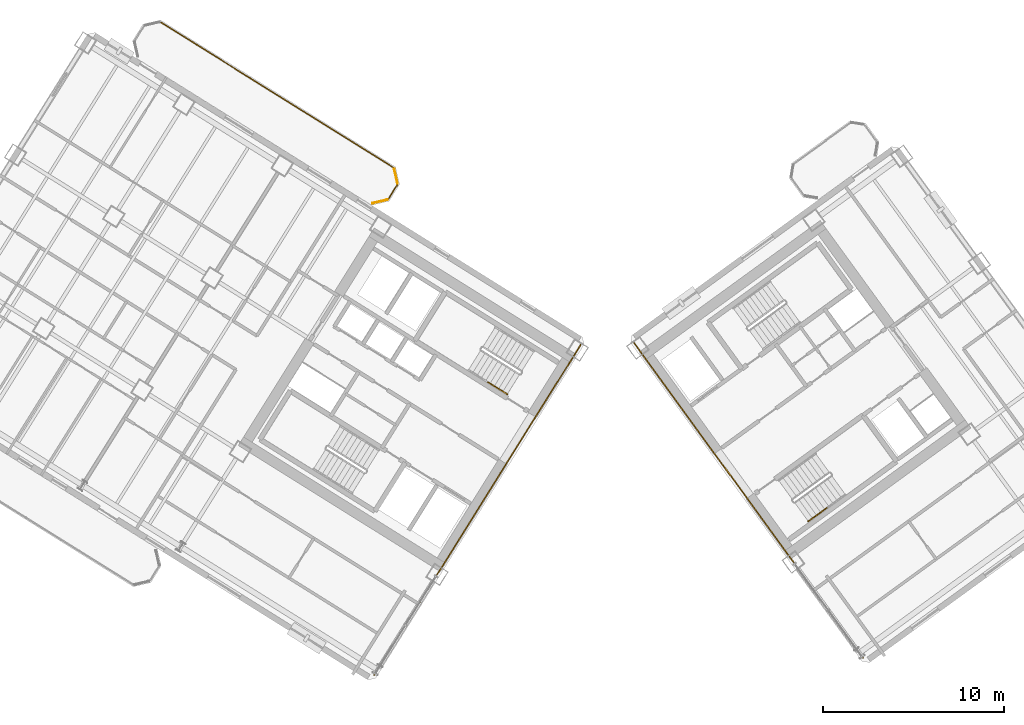
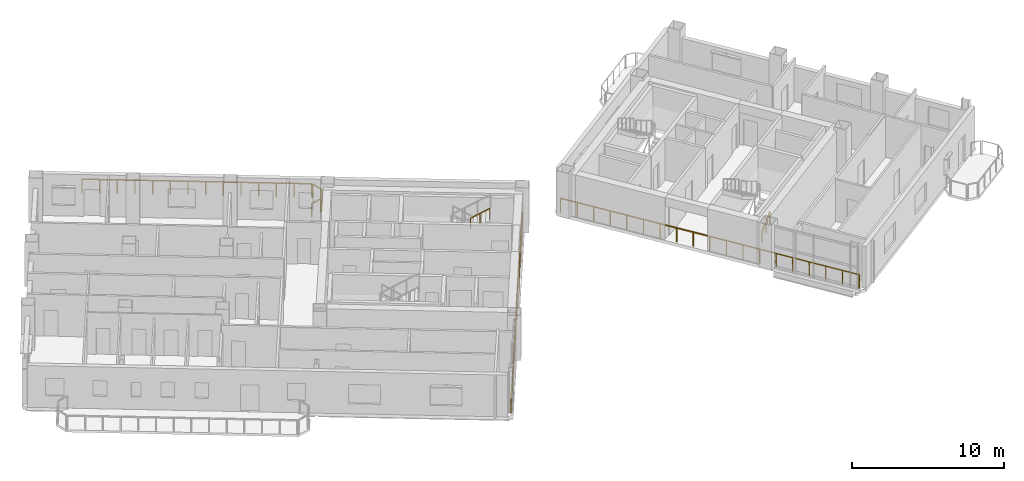
# One storey, part 17 of 19: 8 railings.
"""IFC4 building model written with IfcOpenShell, lengths in metres."""

from ifc_helpers import new_model, si_unit, direction, frame, origin, origin_2d, place, context, subcontext, project, spatial, rectangle, extrude, source, transform, mapped, material, type_object, element, save


model = new_model("IFC4")

# Units and contexts
model_context = context("Model", 3, precision=1e-05, world=origin(), true_north=direction((0.0, 1.0)))
body_context = subcontext(model_context, "Body", "Model", "MODEL_VIEW")
ifc_project = project(units=[si_unit("LENGTHUNIT", "METRE"), si_unit("AREAUNIT", "SQUARE_METRE"), si_unit("VOLUMEUNIT", "CUBIC_METRE"), si_unit("PLANEANGLEUNIT", "RADIAN"), si_unit("MASSUNIT", "GRAM", prefix="KILO")], contexts=[model_context])

# Site, building, storey
site_placement = place(None, origin())
site = spatial("IfcSite", under=ifc_project, at=site_placement, CompositionType="ELEMENT")
building_placement = place(site_placement, origin())
building = spatial("IfcBuilding", under=site, at=building_placement, Name="Tlacorven Tower", CompositionType="ELEMENT")
storey_placement = place(building_placement, frame((0.0, 0.0, 147.89990234375)))
storey = spatial("IfcBuildingStorey", under=building, at=storey_placement, Name="L37", CompositionType="ELEMENT", Elevation=147.89990234375)

# Railings
ifc_material = material(Name="Aluminium and painted steel balustrade", Category="steel")
railing_type_1 = type_object("IfcRailingType", Name="RL-BAL-1100", PredefinedType="BALUSTRADE", material=ifc_material)
shared_shape_1 = source(origin(), body_context, "Body", "SweptSolid", [
    extrude(rectangle(XDim=0.048095703125, YDim=0.048095703125, at=origin_2d()), frame((0.0, 0.0, 1.076171875), z_axis=(0.225058334816, -0.974345290916, 0.0), x_axis=(0.974345290916, 0.225058334816, 0.0)), (0.0, 0.0, 1.0), 0.80712890625),
    extrude(rectangle(XDim=0.0419921875, YDim=0.0419921875, at=origin_2d()), origin(), (0.0, 0.0, 1.0), 1.052001953125),
    extrude(rectangle(XDim=0.0419921875, YDim=0.0419921875, at=origin_2d()), frame((0.181640625, -0.786376953125, 0.0)), (0.0, 0.0, 1.0), 1.052001953125),
])
railing_1_placement = place(storey_placement, frame((30.6796875, 34.466064453125, 0.0)))
element("IfcRailing", 1, at=railing_1_placement, inside=storey, type_object=railing_type_1, Name="BAL-L37-W-IN Guard Railing 1", PredefinedType="BALUSTRADE", context=body_context, shape_type="MappedRepresentation", body=[
    mapped(shared_shape_1, transform((0.0, 0.0, 0.0), scale=1.0)),
])
shared_shape_2 = source(origin(), body_context, "Body", "SweptSolid", [
    extrude(rectangle(XDim=0.048095703125, YDim=0.048095703125, at=origin_2d()), frame((0.0, 0.0, 1.076171875), z_axis=(-0.52987865805, -0.848073468364, 0.0), x_axis=(0.848073468364, -0.52987865805, 0.0)), (0.0, 0.0, 1.0), 0.912353515625),
    extrude(rectangle(XDim=0.0419921875, YDim=0.0419921875, at=origin_2d()), origin(), (0.0, 0.0, 1.0), 1.052001953125),
    extrude(rectangle(XDim=0.0419921875, YDim=0.0419921875, at=origin_2d()), frame((-0.4833984375, -0.773681640625, 0.0)), (0.0, 0.0, 1.0), 1.052001953125),
])
railing_2_placement = place(storey_placement, frame((30.845947265625, 33.588623046875, 0.0)))
element("IfcRailing", 2, at=railing_2_placement, inside=storey, type_object=railing_type_1, Name="BAL-L37-W-IN Guard Railing 2", PredefinedType="BALUSTRADE", context=body_context, shape_type="MappedRepresentation", body=[
    mapped(shared_shape_2, transform((0.0, 0.0, 0.0), scale=1.0)),
])
shared_shape_3 = source(origin(), body_context, "Body", "SweptSolid", [
    extrude(rectangle(XDim=0.048095703125, YDim=0.048095703125, at=origin_2d()), frame((0.0, 0.0, 1.076171875), z_axis=(-0.974345290916, -0.225058334816, 0.0), x_axis=(0.225058334816, -0.974345290916, 0.0)), (0.0, 0.0, 1.0), 0.80712890625),
    extrude(rectangle(XDim=0.0419921875, YDim=0.0419921875, at=origin_2d()), origin(), (0.0, 0.0, 1.0), 1.052001953125),
    extrude(rectangle(XDim=0.0419921875, YDim=0.0419921875, at=origin_2d()), frame((-0.786376953125, -0.181640625, 0.0)), (0.0, 0.0, 1.0), 1.052001953125),
])
railing_3_placement = place(storey_placement, frame((30.287353515625, 32.761474609375, 0.0)))
element("IfcRailing", 3, at=railing_3_placement, inside=storey, type_object=railing_type_1, Name="BAL-L37-W-IN Guard Railing 3", PredefinedType="BALUSTRADE", context=body_context, shape_type="MappedRepresentation", body=[
    mapped(shared_shape_3, transform((0.0, 0.0, 0.0), scale=1.0)),
])
shared_shape_4 = source(origin(), body_context, "Body", "SweptSolid", [
    extrude(rectangle(XDim=0.048095703125, YDim=0.048095703125, at=origin_2d()), frame((0.0, 0.0, 1.076171875), z_axis=(0.848044572804, -0.529924902733, 0.0), x_axis=(0.529924902733, 0.848044572804, 0.0)), (0.0, 0.0, 1.0), 15.1171875),
    extrude(rectangle(XDim=0.0419921875, YDim=0.0419921875, at=origin_2d()), origin(), (0.0, 0.0, 1.0), 1.052001953125),
    extrude(rectangle(XDim=0.0419921875, YDim=0.0419921875, at=origin_2d()), frame((0.986083984375, -0.6162109375, 0.0)), (0.0, 0.0, 1.0), 1.052001953125),
    extrude(rectangle(XDim=0.0419921875, YDim=0.0419921875, at=origin_2d()), frame((1.972412109375, -1.232421875, 0.0)), (0.0, 0.0, 1.0), 1.052001953125),
    extrude(rectangle(XDim=0.0419921875, YDim=0.0419921875, at=origin_2d()), frame((2.95849609375, -1.8486328125, 0.0)), (0.0, 0.0, 1.0), 1.052001953125),
    extrude(rectangle(XDim=0.0419921875, YDim=0.0419921875, at=origin_2d()), frame((3.944580078125, -2.46484375, 0.0)), (0.0, 0.0, 1.0), 1.052001953125),
    extrude(rectangle(XDim=0.0419921875, YDim=0.0419921875, at=origin_2d()), frame((4.930908203125, -3.0810546875, 0.0)), (0.0, 0.0, 1.0), 1.052001953125),
    extrude(rectangle(XDim=0.0419921875, YDim=0.0419921875, at=origin_2d()), frame((5.9169921875, -3.697265625, 0.0)), (0.0, 0.0, 1.0), 1.052001953125),
    extrude(rectangle(XDim=0.0419921875, YDim=0.0419921875, at=origin_2d()), frame((6.903076171875, -4.313720703125, 0.0)), (0.0, 0.0, 1.0), 1.052001953125),
    extrude(rectangle(XDim=0.0419921875, YDim=0.0419921875, at=origin_2d()), frame((7.88916015625, -4.929931640625, 0.0)), (0.0, 0.0, 1.0), 1.052001953125),
    extrude(rectangle(XDim=0.0419921875, YDim=0.0419921875, at=origin_2d()), frame((8.87548828125, -5.546142578125, 0.0)), (0.0, 0.0, 1.0), 1.052001953125),
    extrude(rectangle(XDim=0.0419921875, YDim=0.0419921875, at=origin_2d()), frame((9.861572265625, -6.162353515625, 0.0)), (0.0, 0.0, 1.0), 1.052001953125),
    extrude(rectangle(XDim=0.0419921875, YDim=0.0419921875, at=origin_2d()), frame((10.84765625, -6.778564453125, 0.0)), (0.0, 0.0, 1.0), 1.052001953125),
    extrude(rectangle(XDim=0.0419921875, YDim=0.0419921875, at=origin_2d()), frame((11.833984375, -7.394775390625, 0.0)), (0.0, 0.0, 1.0), 1.052001953125),
    extrude(rectangle(XDim=0.0419921875, YDim=0.0419921875, at=origin_2d()), frame((12.820068359375, -8.010986328125, 0.0)), (0.0, 0.0, 1.0), 1.052001953125),
])
railing_4_placement = place(storey_placement, frame((17.805908203125, 42.55224609375, 0.0)))
element("IfcRailing", 4, at=railing_4_placement, inside=storey, type_object=railing_type_1, Name="BAL-L37-W-IN Guard Railing 7", PredefinedType="BALUSTRADE", context=body_context, shape_type="MappedRepresentation", body=[
    mapped(shared_shape_4, transform((0.0, 0.0, 0.0), scale=1.0)),
])
railing_type_2 = type_object("IfcRailingType", Name="RL-GRD-1150", PredefinedType="GUARDRAIL", material=ifc_material)
shared_shape_5 = source(origin(), body_context, "Body", "SweptSolid", [
    extrude(rectangle(XDim=0.048095703125, YDim=0.048095703125, at=origin_2d()), frame((0.0, 0.0, 1.1259765625), z_axis=(-0.529922340282, -0.84804617402, 0.0), x_axis=(0.84804617402, -0.529922340282, 0.0)), (0.0, 0.0, 1.0), 21.487548828125),
    extrude(rectangle(XDim=0.0419921875, YDim=0.0419921875, at=origin_2d()), origin(), (0.0, 0.0, 1.0), 1.101806640625),
    extrude(rectangle(XDim=0.0419921875, YDim=0.0419921875, at=origin_2d()), frame((-0.632568359375, -1.012451171875, 0.0)), (0.0, 0.0, 1.0), 1.101806640625),
    extrude(rectangle(XDim=0.0419921875, YDim=0.0419921875, at=origin_2d()), frame((-1.26513671875, -2.024658203125, 0.0)), (0.0, 0.0, 1.0), 1.101806640625),
    extrude(rectangle(XDim=0.0419921875, YDim=0.0419921875, at=origin_2d()), frame((-1.897705078125, -3.037109375, 0.0)), (0.0, 0.0, 1.0), 1.101806640625),
    extrude(rectangle(XDim=0.0419921875, YDim=0.0419921875, at=origin_2d()), frame((-2.5302734375, -4.04931640625, 0.0)), (0.0, 0.0, 1.0), 1.101806640625),
    extrude(rectangle(XDim=0.0419921875, YDim=0.0419921875, at=origin_2d()), frame((-3.1630859375, -5.061767578125, 0.0)), (0.0, 0.0, 1.0), 1.101806640625),
    extrude(rectangle(XDim=0.0419921875, YDim=0.0419921875, at=origin_2d()), frame((-3.795654296875, -6.07421875, 0.0)), (0.0, 0.0, 1.0), 1.101806640625),
    extrude(rectangle(XDim=0.0419921875, YDim=0.0419921875, at=origin_2d()), frame((-4.42822265625, -7.08642578125, 0.0)), (0.0, 0.0, 1.0), 1.101806640625),
    extrude(rectangle(XDim=0.0419921875, YDim=0.0419921875, at=origin_2d()), frame((-5.060791015625, -8.098876953125, 0.0)), (0.0, 0.0, 1.0), 1.101806640625),
    extrude(rectangle(XDim=0.0419921875, YDim=0.0419921875, at=origin_2d()), frame((-5.693359375, -9.111328125, 0.0)), (0.0, 0.0, 1.0), 1.101806640625),
    extrude(rectangle(XDim=0.0419921875, YDim=0.0419921875, at=origin_2d()), frame((-6.325927734375, -10.12353515625, 0.0)), (0.0, 0.0, 1.0), 1.101806640625),
    extrude(rectangle(XDim=0.0419921875, YDim=0.0419921875, at=origin_2d()), frame((-6.95849609375, -11.135986328125, 0.0)), (0.0, 0.0, 1.0), 1.101806640625),
    extrude(rectangle(XDim=0.0419921875, YDim=0.0419921875, at=origin_2d()), frame((-7.591064453125, -12.148193359375, 0.0)), (0.0, 0.0, 1.0), 1.101806640625),
    extrude(rectangle(XDim=0.0419921875, YDim=0.0419921875, at=origin_2d()), frame((-8.2236328125, -13.16064453125, 0.0)), (0.0, 0.0, 1.0), 1.101806640625),
    extrude(rectangle(XDim=0.0419921875, YDim=0.0419921875, at=origin_2d()), frame((-8.8564453125, -14.173095703125, 0.0)), (0.0, 0.0, 1.0), 1.101806640625),
    extrude(rectangle(XDim=0.0419921875, YDim=0.0419921875, at=origin_2d()), frame((-9.489013671875, -15.185302734375, 0.0)), (0.0, 0.0, 1.0), 1.101806640625),
    extrude(rectangle(XDim=0.0419921875, YDim=0.0419921875, at=origin_2d()), frame((-10.12158203125, -16.19775390625, 0.0)), (0.0, 0.0, 1.0), 1.101806640625),
    extrude(rectangle(XDim=0.0419921875, YDim=0.0419921875, at=origin_2d()), frame((-10.754150390625, -17.2099609375, 0.0)), (0.0, 0.0, 1.0), 1.101806640625),
    extrude(rectangle(XDim=0.0419921875, YDim=0.0419921875, at=origin_2d()), frame((-11.38671875, -18.222412109375, 0.0)), (0.0, 0.0, 1.0), 1.101806640625),
])
railing_5_placement = place(storey_placement, frame((40.965087890625, 24.760009765625, 0.0)))
element("IfcRailing", 5, at=railing_5_placement, inside=storey, type_object=railing_type_2, Name="L37 Void-Portal Atrium Guard 1", PredefinedType="GUARDRAIL", context=body_context, shape_type="MappedRepresentation", body=[
    mapped(shared_shape_5, transform((0.0, 0.0, 0.0), scale=1.0)),
])
shared_shape_6 = source(origin(), body_context, "Body", "SweptSolid", [
    extrude(rectangle(XDim=0.048095703125, YDim=0.048095703125, at=origin_2d()), frame((0.0, 0.0, 1.1259765625), z_axis=(-0.587792632144, 0.809011632547, 0.0), x_axis=(-0.809011632547, -0.587792632144, 0.0)), (0.0, 0.0, 1.0), 21.4873046875),
    extrude(rectangle(XDim=0.0419921875, YDim=0.0419921875, at=origin_2d()), origin(), (0.0, 0.0, 1.0), 1.101806640625),
    extrude(rectangle(XDim=0.0419921875, YDim=0.0419921875, at=origin_2d()), frame((-0.70166015625, 0.9658203125, 0.0)), (0.0, 0.0, 1.0), 1.101806640625),
    extrude(rectangle(XDim=0.0419921875, YDim=0.0419921875, at=origin_2d()), frame((-1.4033203125, 1.931396484375, 0.0)), (0.0, 0.0, 1.0), 1.101806640625),
    extrude(rectangle(XDim=0.0419921875, YDim=0.0419921875, at=origin_2d()), frame((-2.10498046875, 2.897216796875, 0.0)), (0.0, 0.0, 1.0), 1.101806640625),
    extrude(rectangle(XDim=0.0419921875, YDim=0.0419921875, at=origin_2d()), frame((-2.806640625, 3.863037109375, 0.0)), (0.0, 0.0, 1.0), 1.101806640625),
    extrude(rectangle(XDim=0.0419921875, YDim=0.0419921875, at=origin_2d()), frame((-3.50830078125, 4.828857421875, 0.0)), (0.0, 0.0, 1.0), 1.101806640625),
    extrude(rectangle(XDim=0.0419921875, YDim=0.0419921875, at=origin_2d()), frame((-4.2099609375, 5.79443359375, 0.0)), (0.0, 0.0, 1.0), 1.101806640625),
    extrude(rectangle(XDim=0.0419921875, YDim=0.0419921875, at=origin_2d()), frame((-4.91162109375, 6.76025390625, 0.0)), (0.0, 0.0, 1.0), 1.101806640625),
    extrude(rectangle(XDim=0.0419921875, YDim=0.0419921875, at=origin_2d()), frame((-5.61328125, 7.72607421875, 0.0)), (0.0, 0.0, 1.0), 1.101806640625),
    extrude(rectangle(XDim=0.0419921875, YDim=0.0419921875, at=origin_2d()), frame((-6.31494140625, 8.69189453125, 0.0)), (0.0, 0.0, 1.0), 1.101806640625),
    extrude(rectangle(XDim=0.0419921875, YDim=0.0419921875, at=origin_2d()), frame((-7.016845703125, 9.657470703125, 0.0)), (0.0, 0.0, 1.0), 1.101806640625),
    extrude(rectangle(XDim=0.0419921875, YDim=0.0419921875, at=origin_2d()), frame((-7.718505859375, 10.623291015625, 0.0)), (0.0, 0.0, 1.0), 1.101806640625),
    extrude(rectangle(XDim=0.0419921875, YDim=0.0419921875, at=origin_2d()), frame((-8.420166015625, 11.589111328125, 0.0)), (0.0, 0.0, 1.0), 1.101806640625),
    extrude(rectangle(XDim=0.0419921875, YDim=0.0419921875, at=origin_2d()), frame((-9.121826171875, 12.5546875, 0.0)), (0.0, 0.0, 1.0), 1.101806640625),
    extrude(rectangle(XDim=0.0419921875, YDim=0.0419921875, at=origin_2d()), frame((-9.823486328125, 13.5205078125, 0.0)), (0.0, 0.0, 1.0), 1.101806640625),
    extrude(rectangle(XDim=0.0419921875, YDim=0.0419921875, at=origin_2d()), frame((-10.525146484375, 14.486328125, 0.0)), (0.0, 0.0, 1.0), 1.101806640625),
    extrude(rectangle(XDim=0.0419921875, YDim=0.0419921875, at=origin_2d()), frame((-11.226806640625, 15.4521484375, 0.0)), (0.0, 0.0, 1.0), 1.101806640625),
    extrude(rectangle(XDim=0.0419921875, YDim=0.0419921875, at=origin_2d()), frame((-11.928466796875, 16.417724609375, 0.0)), (0.0, 0.0, 1.0), 1.101806640625),
    extrude(rectangle(XDim=0.0419921875, YDim=0.0419921875, at=origin_2d()), frame((-12.630126953125, 17.383544921875, 0.0)), (0.0, 0.0, 1.0), 1.101806640625),
])
railing_6_placement = place(storey_placement, frame((56.5517578125, 7.4794921875, 0.0)))
element("IfcRailing", 6, at=railing_6_placement, inside=storey, type_object=railing_type_2, Name="L37 Void-Portal Atrium Guard 1", PredefinedType="GUARDRAIL", context=body_context, shape_type="MappedRepresentation", body=[
    mapped(shared_shape_6, transform((0.0, 0.0, 0.0), scale=1.0)),
])
railing_type_3 = type_object("IfcRailingType", Name="RL-HND-0900", PredefinedType="HANDRAIL", material=ifc_material)
shared_shape_7 = source(origin(), body_context, "Body", "SweptSolid", [
    extrude(rectangle(XDim=0.048095703125, YDim=0.048095703125, at=origin_2d()), frame((0.0, 0.0, 0.8759765625), z_axis=(0.713359751793, -0.4457479829, 0.540764828981), x_axis=(0.529911857636, 0.848052724267, 0.0)), (0.0, 0.0, 1.0), 1.498046875),
    extrude(rectangle(XDim=0.0419921875, YDim=0.0419921875, at=origin_2d()), origin(), (0.0, 0.0, 1.0), 0.851806640625),
    extrude(rectangle(XDim=0.0419921875, YDim=0.0419921875, at=origin_2d()), frame((0.5341796875, -0.333984375, 0.405029296875)), (0.0, 0.0, 1.0), 0.851806640625),
    extrude(rectangle(XDim=0.0419921875, YDim=0.0419921875, at=origin_2d()), frame((1.068603515625, -0.667724609375, 0.81005859375)), (0.0, 0.0, 1.0), 0.851806640625),
])
railing_7_placement = place(storey_placement, frame((35.848876953125, 22.705078125, 2.7900390625)))
element("IfcRailing", 7, at=railing_7_placement, inside=storey, type_object=railing_type_3, Name="L37 ST-W2 stair handrail 4", PredefinedType="HANDRAIL", context=body_context, shape_type="MappedRepresentation", body=[
    mapped(shared_shape_7, transform((0.0, 0.0, 0.0), scale=1.0)),
])
shared_shape_8 = source(origin(), body_context, "Body", "SweptSolid", [
    extrude(rectangle(XDim=0.048095703125, YDim=0.048095703125, at=origin_2d()), frame((0.0, 0.0, 0.8759765625), z_axis=(0.680521190579, 0.494539231669, 0.540667973449), x_axis=(-0.587872112667, 0.808953879494, 0.0)), (0.0, 0.0, 1.0), 1.497802734375),
    extrude(rectangle(XDim=0.0419921875, YDim=0.0419921875, at=origin_2d()), origin(), (0.0, 0.0, 1.0), 0.851806640625),
    extrude(rectangle(XDim=0.0419921875, YDim=0.0419921875, at=origin_2d()), frame((0.509765625, 0.370361328125, 0.40478515625)), (0.0, 0.0, 1.0), 0.851806640625),
    extrude(rectangle(XDim=0.0419921875, YDim=0.0419921875, at=origin_2d()), frame((1.019287109375, 0.74072265625, 0.809814453125)), (0.0, 0.0, 1.0), 0.851806640625),
])
railing_8_placement = place(storey_placement, frame((53.53369140625, 15.01904296875, 0.18017578125)))
element("IfcRailing", 8, at=railing_8_placement, inside=storey, type_object=railing_type_3, Name="L37 ST-E2 stair handrail 1", PredefinedType="HANDRAIL", context=body_context, shape_type="MappedRepresentation", body=[
    mapped(shared_shape_8, transform((0.0, 0.0, 0.0), scale=1.0)),
])

save(model, "model.ifc")
